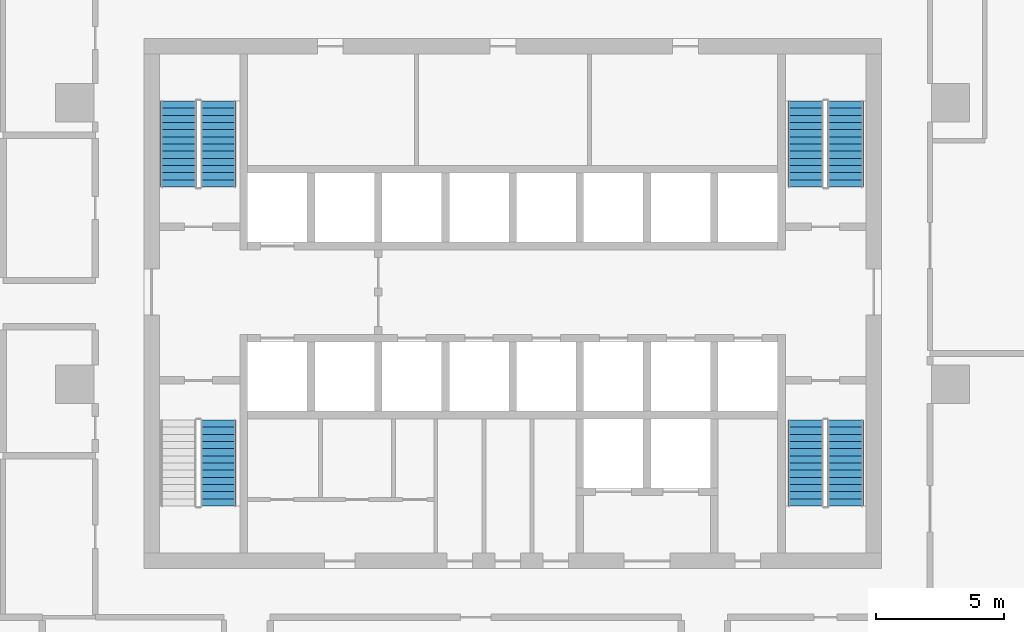
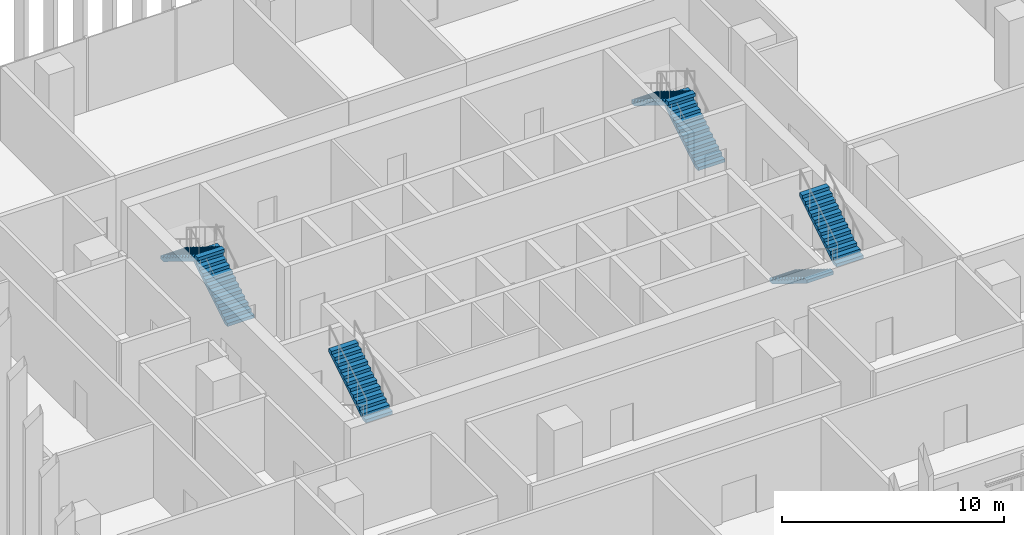
# One storey, part 11 of 17: 7 stair flights, 4 elements without a shape of their own.
"""IFC4 building model written with IfcOpenShell, lengths in metres."""

from ifc_helpers import new_model, si_unit, direction, frame, origin, place, context, subcontext, project, spatial, polyline, outline, extrude, material, type_object, element, aggregate, save


model = new_model("IFC4")

# Units and contexts
model_context = context("Model", 3, precision=1e-05, world=origin(), true_north=direction((0.0, 1.0)))
body_context = subcontext(model_context, "Body", "Model", "MODEL_VIEW")
ifc_project = project(units=[si_unit("LENGTHUNIT", "METRE"), si_unit("AREAUNIT", "SQUARE_METRE"), si_unit("VOLUMEUNIT", "CUBIC_METRE"), si_unit("PLANEANGLEUNIT", "RADIAN"), si_unit("MASSUNIT", "GRAM", prefix="KILO")], contexts=[model_context])

# Site, building, storey
site_placement = place(None, origin())
site = spatial("IfcSite", under=ifc_project, at=site_placement, CompositionType="ELEMENT")
building_placement = place(site_placement, origin())
building = spatial("IfcBuilding", under=site, at=building_placement, Name="Mopane Tessera Tower", CompositionType="ELEMENT")
storey_placement = place(building_placement, frame((0.0, 0.0, 108.10009765625)))
storey = spatial("IfcBuildingStorey", under=building, at=storey_placement, Name="L21", CompositionType="ELEMENT", Elevation=108.10009765625)

# Stair, stair flight
ifc_material_1 = material(Name="Concrete C50/60", Category="concrete")
stair_type = type_object("IfcStairType", Name="Escape stair 1400 mm, riser 173 mm", PredefinedType="HALF_TURN_STAIR", material=ifc_material_1)
stair_1_placement = place(storey_placement, origin())
stair_1 = element("IfcStair", 1, at=stair_1_placement, inside=storey, type_object=stair_type, Name="L21 Escape stair south-west", PredefinedType="HALF_TURN_STAIR")
ifc_material_2 = material(Name="Concrete C50/60", Category="concrete")
stair_flight_type = type_object("IfcStairFlightType", Name="Escape stair flight 1400 mm", PredefinedType="STRAIGHT", material=ifc_material_2)
stair_flight_1_placement = place(storey_placement, frame((-11.5, -4.760009765625, 2.25), z_axis=(0.0, 0.0, 1.0), x_axis=(0.0, 1.0, 0.0)))
stair_flight_1 = element("IfcStairFlight", 2, at=stair_flight_1_placement, type_object=stair_flight_type, Name="ST1 flight 2", NumberOfRisers=13, NumberOfTreads=12, PredefinedType="STRAIGHT", RiserHeight=0.173076923, TreadLength=0.28, context=body_context, shape_type="SweptSolid", body=[
    extrude(outline(polyline([(0.0, 0.0), (0.0, 0.173095703125), (0.280029296875, 0.173095703125), (0.280029296875, 0.34619140625), (0.56005859375, 0.34619140625), (0.56005859375, 0.519287109375), (0.840087890625, 0.519287109375), (0.840087890625, 0.6923828125), (1.1201171875, 0.6923828125), (1.1201171875, 0.865478515625), (1.39990234375, 0.865478515625), (1.39990234375, 1.03857421875), (1.679931640625, 1.03857421875), (1.679931640625, 1.21142578125), (1.9599609375, 1.21142578125), (1.9599609375, 1.384521484375), (2.239990234375, 1.384521484375), (2.239990234375, 1.5576171875), (2.52001953125, 1.5576171875), (2.52001953125, 1.730712890625), (2.800048828125, 1.730712890625), (2.800048828125, 1.90380859375), (3.080078125, 1.90380859375), (3.080078125, 2.076904296875), (3.360107421875, 2.076904296875), (3.360107421875, 2.25), (3.360107421875, 1.900634765625), (0.28515625, 0.0), (0.0, 0.0)])), frame((0.0, 0.699951171875, 0.0), z_axis=(0.0, -1.0, 0.0), x_axis=(1.0, 0.0, 0.0)), (0.0, 0.0, 1.0), 1.39990234375),
])
aggregate(stair_1, [stair_flight_1])

# Stair, stair flights
stair_2_placement = place(storey_placement, origin())
stair_2 = element("IfcStair", 3, at=stair_2_placement, inside=storey, type_object=stair_type, Name="L21 Escape stair north-west", PredefinedType="HALF_TURN_STAIR")
stair_flight_2_placement = place(storey_placement, frame((-11.5, 7.699951171875, 0.0), z_axis=(0.0, 0.0, 1.0), x_axis=(0.0, 1.0, 0.0)))
stair_flight_2 = element("IfcStairFlight", 4, at=stair_flight_2_placement, type_object=stair_flight_type, Name="ST2 flight 1", NumberOfRisers=13, NumberOfTreads=12, PredefinedType="STRAIGHT", RiserHeight=0.173076923, TreadLength=0.28, context=body_context, shape_type="SweptSolid", body=[
    extrude(outline(polyline([(0.0, 0.0), (0.0, 0.173095703125), (0.280029296875, 0.173095703125), (0.280029296875, 0.34619140625), (0.56005859375, 0.34619140625), (0.56005859375, 0.519287109375), (0.840087890625, 0.519287109375), (0.840087890625, 0.6923828125), (1.1201171875, 0.6923828125), (1.1201171875, 0.865478515625), (1.39990234375, 0.865478515625), (1.39990234375, 1.03857421875), (1.679931640625, 1.03857421875), (1.679931640625, 1.21142578125), (1.9599609375, 1.21142578125), (1.9599609375, 1.384521484375), (2.239990234375, 1.384521484375), (2.239990234375, 1.5576171875), (2.52001953125, 1.5576171875), (2.52001953125, 1.730712890625), (2.800048828125, 1.730712890625), (2.800048828125, 1.90380859375), (3.080078125, 1.90380859375), (3.080078125, 2.076904296875), (3.360107421875, 2.076904296875), (3.360107421875, 2.25), (3.360107421875, 1.900634765625), (0.28515625, 0.0), (0.0, 0.0)])), frame((0.0, 0.699951171875, 0.0), z_axis=(0.0, -1.0, 0.0), x_axis=(1.0, 0.0, 0.0)), (0.0, 0.0, 1.0), 1.39990234375),
])
stair_flight_3_placement = place(storey_placement, frame((-13.050048828125, 11.06005859375, 2.25), z_axis=(0.0, 0.0, 1.0), x_axis=(0.0, -1.0, 0.0)))
stair_flight_3 = element("IfcStairFlight", 5, at=stair_flight_3_placement, type_object=stair_flight_type, Name="ST2 flight 2", NumberOfRisers=13, NumberOfTreads=12, PredefinedType="STRAIGHT", RiserHeight=0.173076923, TreadLength=0.28, context=body_context, shape_type="SweptSolid", body=[
    extrude(outline(polyline([(0.0, 0.0), (0.0, 0.173095703125), (0.280029296875, 0.173095703125), (0.280029296875, 0.34619140625), (0.56005859375, 0.34619140625), (0.56005859375, 0.519287109375), (0.840087890625, 0.519287109375), (0.840087890625, 0.6923828125), (1.1201171875, 0.6923828125), (1.1201171875, 0.865478515625), (1.39990234375, 0.865478515625), (1.39990234375, 1.03857421875), (1.679931640625, 1.03857421875), (1.679931640625, 1.21142578125), (1.9599609375, 1.21142578125), (1.9599609375, 1.384521484375), (2.239990234375, 1.384521484375), (2.239990234375, 1.5576171875), (2.52001953125, 1.5576171875), (2.52001953125, 1.730712890625), (2.800048828125, 1.730712890625), (2.800048828125, 1.90380859375), (3.080078125, 1.90380859375), (3.080078125, 2.076904296875), (3.360107421875, 2.076904296875), (3.360107421875, 2.25), (3.360107421875, 1.900634765625), (0.28515625, 0.0), (0.0, 0.0)])), frame((0.0, 0.699951171875, 0.0), z_axis=(0.0, -1.0, 0.0), x_axis=(1.0, 0.0, 0.0)), (0.0, 0.0, 1.0), 1.39990234375),
])
aggregate(stair_2, [stair_flight_2, stair_flight_3])

stair_3_placement = place(storey_placement, origin())
stair_3 = element("IfcStair", 6, at=stair_3_placement, inside=storey, type_object=stair_type, Name="L21 Escape stair south-east", PredefinedType="HALF_TURN_STAIR")
stair_flight_4_placement = place(storey_placement, frame((11.449951171875, -1.39990234375, 0.0), z_axis=(0.0, 0.0, 1.0), x_axis=(0.0, -1.0, 0.0)))
stair_flight_4 = element("IfcStairFlight", 7, at=stair_flight_4_placement, type_object=stair_flight_type, Name="ST3 flight 1", NumberOfRisers=13, NumberOfTreads=12, PredefinedType="STRAIGHT", RiserHeight=0.173076923, TreadLength=0.28, context=body_context, shape_type="SweptSolid", body=[
    extrude(outline(polyline([(0.0, 0.0), (0.0, 0.173095703125), (0.280029296875, 0.173095703125), (0.280029296875, 0.34619140625), (0.56005859375, 0.34619140625), (0.56005859375, 0.519287109375), (0.840087890625, 0.519287109375), (0.840087890625, 0.6923828125), (1.1201171875, 0.6923828125), (1.1201171875, 0.865478515625), (1.39990234375, 0.865478515625), (1.39990234375, 1.03857421875), (1.679931640625, 1.03857421875), (1.679931640625, 1.21142578125), (1.9599609375, 1.21142578125), (1.9599609375, 1.384521484375), (2.239990234375, 1.384521484375), (2.239990234375, 1.5576171875), (2.52001953125, 1.5576171875), (2.52001953125, 1.730712890625), (2.800048828125, 1.730712890625), (2.800048828125, 1.90380859375), (3.080078125, 1.90380859375), (3.080078125, 2.076904296875), (3.360107421875, 2.076904296875), (3.360107421875, 2.25), (3.360107421875, 1.900634765625), (0.28515625, 0.0), (0.0, 0.0)])), frame((0.0, 0.699951171875, 0.0), z_axis=(0.0, -1.0, 0.0), x_axis=(1.0, 0.0, 0.0)), (0.0, 0.0, 1.0), 1.39990234375),
])
stair_flight_5_placement = place(storey_placement, frame((13.0, -4.760009765625, 2.25), z_axis=(0.0, 0.0, 1.0), x_axis=(0.0, 1.0, 0.0)))
stair_flight_5 = element("IfcStairFlight", 8, at=stair_flight_5_placement, type_object=stair_flight_type, Name="ST3 flight 2", NumberOfRisers=13, NumberOfTreads=12, PredefinedType="STRAIGHT", RiserHeight=0.173076923, TreadLength=0.28, context=body_context, shape_type="SweptSolid", body=[
    extrude(outline(polyline([(0.0, 0.0), (0.0, 0.173095703125), (0.280029296875, 0.173095703125), (0.280029296875, 0.34619140625), (0.56005859375, 0.34619140625), (0.56005859375, 0.519287109375), (0.840087890625, 0.519287109375), (0.840087890625, 0.6923828125), (1.1201171875, 0.6923828125), (1.1201171875, 0.865478515625), (1.39990234375, 0.865478515625), (1.39990234375, 1.03857421875), (1.679931640625, 1.03857421875), (1.679931640625, 1.21142578125), (1.9599609375, 1.21142578125), (1.9599609375, 1.384521484375), (2.239990234375, 1.384521484375), (2.239990234375, 1.5576171875), (2.52001953125, 1.5576171875), (2.52001953125, 1.730712890625), (2.800048828125, 1.730712890625), (2.800048828125, 1.90380859375), (3.080078125, 1.90380859375), (3.080078125, 2.076904296875), (3.360107421875, 2.076904296875), (3.360107421875, 2.25), (3.360107421875, 1.900634765625), (0.28515625, 0.0), (0.0, 0.0)])), frame((0.0, 0.699951171875, 0.0), z_axis=(0.0, -1.0, 0.0), x_axis=(1.0, 0.0, 0.0)), (0.0, 0.0, 1.0), 1.39990234375),
])
aggregate(stair_3, [stair_flight_4, stair_flight_5])

stair_4_placement = place(storey_placement, origin())
stair_4 = element("IfcStair", 9, at=stair_4_placement, inside=storey, type_object=stair_type, Name="L21 Escape stair north-east", PredefinedType="HALF_TURN_STAIR")
stair_flight_6_placement = place(storey_placement, frame((13.0, 7.699951171875, 0.0), z_axis=(0.0, 0.0, 1.0), x_axis=(0.0, 1.0, 0.0)))
stair_flight_6 = element("IfcStairFlight", 10, at=stair_flight_6_placement, type_object=stair_flight_type, Name="ST4 flight 1", NumberOfRisers=13, NumberOfTreads=12, PredefinedType="STRAIGHT", RiserHeight=0.173076923, TreadLength=0.28, context=body_context, shape_type="SweptSolid", body=[
    extrude(outline(polyline([(0.0, 0.0), (0.0, 0.173095703125), (0.280029296875, 0.173095703125), (0.280029296875, 0.34619140625), (0.56005859375, 0.34619140625), (0.56005859375, 0.519287109375), (0.840087890625, 0.519287109375), (0.840087890625, 0.6923828125), (1.1201171875, 0.6923828125), (1.1201171875, 0.865478515625), (1.39990234375, 0.865478515625), (1.39990234375, 1.03857421875), (1.679931640625, 1.03857421875), (1.679931640625, 1.21142578125), (1.9599609375, 1.21142578125), (1.9599609375, 1.384521484375), (2.239990234375, 1.384521484375), (2.239990234375, 1.5576171875), (2.52001953125, 1.5576171875), (2.52001953125, 1.730712890625), (2.800048828125, 1.730712890625), (2.800048828125, 1.90380859375), (3.080078125, 1.90380859375), (3.080078125, 2.076904296875), (3.360107421875, 2.076904296875), (3.360107421875, 2.25), (3.360107421875, 1.900634765625), (0.28515625, 0.0), (0.0, 0.0)])), frame((0.0, 0.699951171875, 0.0), z_axis=(0.0, -1.0, 0.0), x_axis=(1.0, 0.0, 0.0)), (0.0, 0.0, 1.0), 1.39990234375),
])
stair_flight_7_placement = place(storey_placement, frame((11.449951171875, 11.06005859375, 2.25), z_axis=(0.0, 0.0, 1.0), x_axis=(0.0, -1.0, 0.0)))
stair_flight_7 = element("IfcStairFlight", 11, at=stair_flight_7_placement, type_object=stair_flight_type, Name="ST4 flight 2", NumberOfRisers=13, NumberOfTreads=12, PredefinedType="STRAIGHT", RiserHeight=0.173076923, TreadLength=0.28, context=body_context, shape_type="SweptSolid", body=[
    extrude(outline(polyline([(0.0, 0.0), (0.0, 0.173095703125), (0.280029296875, 0.173095703125), (0.280029296875, 0.34619140625), (0.56005859375, 0.34619140625), (0.56005859375, 0.519287109375), (0.840087890625, 0.519287109375), (0.840087890625, 0.6923828125), (1.1201171875, 0.6923828125), (1.1201171875, 0.865478515625), (1.39990234375, 0.865478515625), (1.39990234375, 1.03857421875), (1.679931640625, 1.03857421875), (1.679931640625, 1.21142578125), (1.9599609375, 1.21142578125), (1.9599609375, 1.384521484375), (2.239990234375, 1.384521484375), (2.239990234375, 1.5576171875), (2.52001953125, 1.5576171875), (2.52001953125, 1.730712890625), (2.800048828125, 1.730712890625), (2.800048828125, 1.90380859375), (3.080078125, 1.90380859375), (3.080078125, 2.076904296875), (3.360107421875, 2.076904296875), (3.360107421875, 2.25), (3.360107421875, 1.900634765625), (0.28515625, 0.0), (0.0, 0.0)])), frame((0.0, 0.699951171875, 0.0), z_axis=(0.0, -1.0, 0.0), x_axis=(1.0, 0.0, 0.0)), (0.0, 0.0, 1.0), 1.39990234375),
])
aggregate(stair_4, [stair_flight_6, stair_flight_7])

save(model, "model.ifc")
